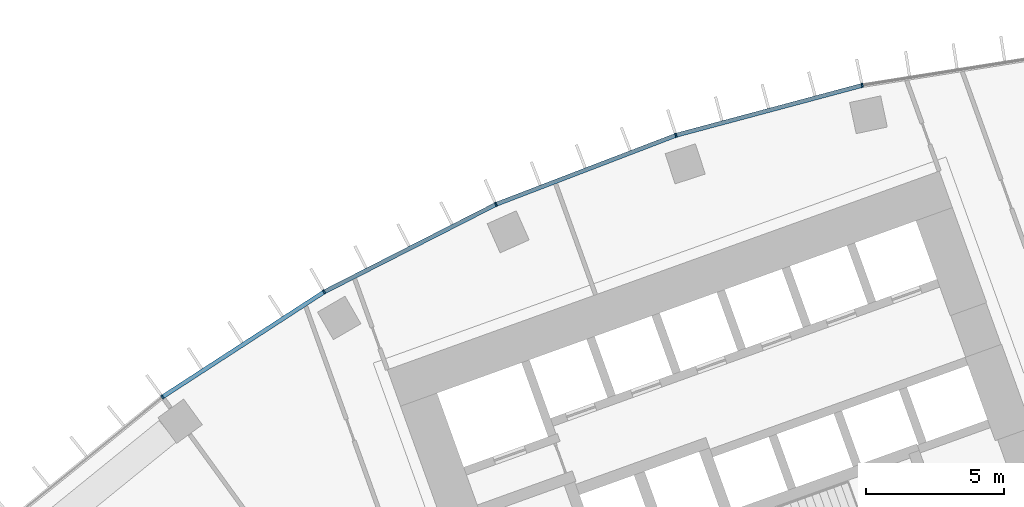
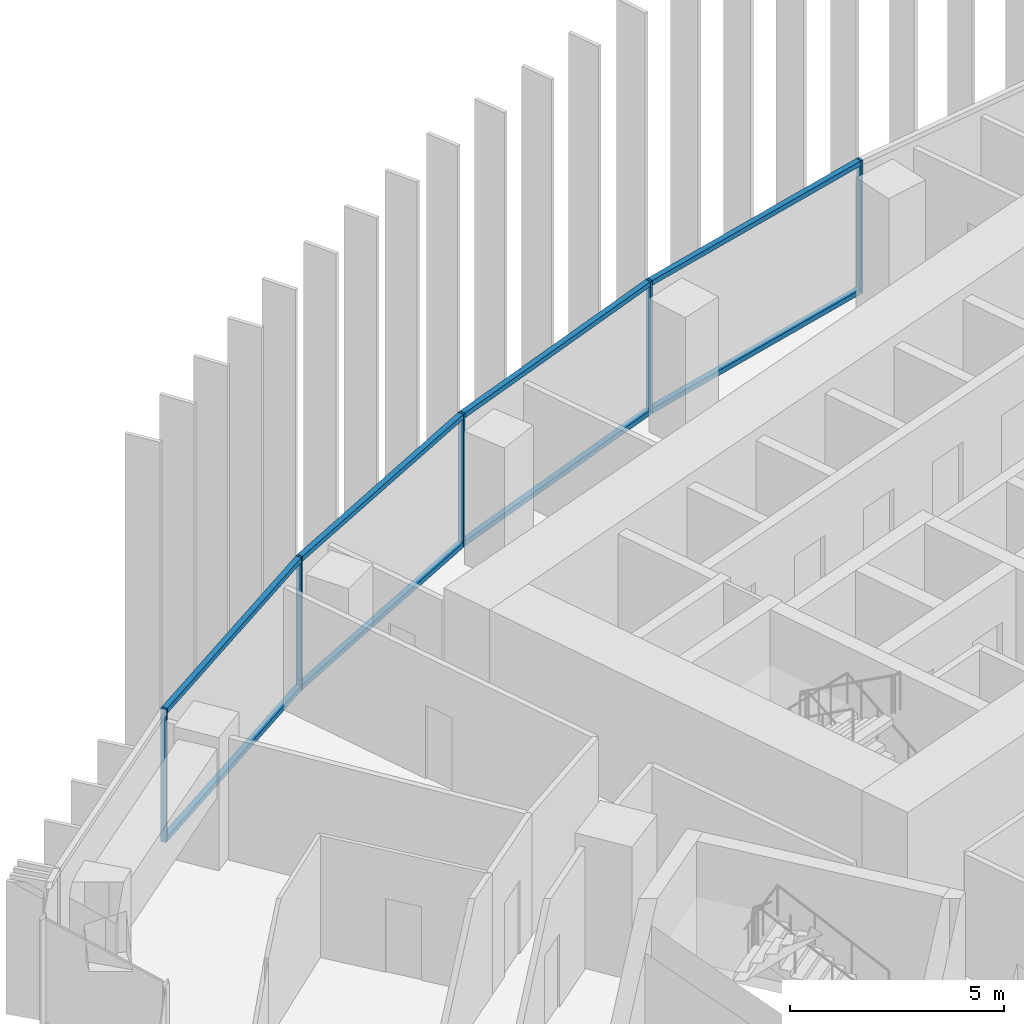
# One storey, part 6 of 22: 13 members, 1 element without a shape of its own.
"""IFC4 building model written with IfcOpenShell, lengths in metres."""

from ifc_helpers import new_model, si_unit, direction, frame, origin, origin_2d, place, context, subcontext, project, spatial, rectangle, extrude, material, layer, layer_set, material_profile, profile_set, type_object, element, aggregate, save


model = new_model("IFC4")

# Units and contexts
model_context = context("Model", 3, precision=1e-05, world=origin(), true_north=direction((0.0, 1.0)))
body_context = subcontext(model_context, "Body", "Model", "MODEL_VIEW")
ifc_project = project(units=[si_unit("LENGTHUNIT", "METRE"), si_unit("AREAUNIT", "SQUARE_METRE"), si_unit("VOLUMEUNIT", "CUBIC_METRE"), si_unit("PLANEANGLEUNIT", "RADIAN"), si_unit("MASSUNIT", "GRAM", prefix="KILO")], contexts=[model_context])

# Site, building, storey
site_placement = place(None, origin())
site = spatial("IfcSite", under=ifc_project, at=site_placement, CompositionType="ELEMENT")
building_placement = place(site_placement, origin())
building = spatial("IfcBuilding", under=site, at=building_placement, Name="Stone Belt Terrace Tower", CompositionType="ELEMENT")
storey_placement = place(building_placement, frame((0.0, 0.0, 109.800048828125)))
storey = spatial("IfcBuildingStorey", under=building, at=storey_placement, Name="L26", CompositionType="ELEMENT", Elevation=109.800048828125)

# Curtain wall, members
ifc_material = material(Name="Aluminium 6063-T6 anodised frame", Category="aluminium")
ifc_layer = layer(ifc_material, 0.14990234375)
ifc_layer_set = layer_set([ifc_layer], Name="CW-A unitised convex-face curtain wall")
curtain_wall_type = type_object("IfcCurtainWallType", Name="CW-A unitised convex-face curtain wall", PredefinedType="NOTDEFINED", material=ifc_layer_set)
curtain_wall_placement = place(storey_placement, origin())
curtain_wall = element("IfcCurtainWall", 1, at=curtain_wall_placement, inside=storey, type_object=curtain_wall_type, Name="CW-A convex face L26", PredefinedType="NOTDEFINED")
ifc_material_profile_1 = material_profile(ifc_material, rectangle(XDim=0.14990234375, YDim=0.06005859375, at=origin_2d()), Name="Aluminium 6063-T6 60x150")
ifc_profile_set_1 = profile_set([ifc_material_profile_1], Name="Aluminium 6063-T6 anodised frame")
member_type_1 = type_object("IfcMemberType", Name="CW-A mullion 60 x 150", PredefinedType="MULLION", material=ifc_profile_set_1)
member_1_placement = place(storey_placement, frame((-13.841796875, 65.120361328125, 0.0), z_axis=(0.0, 0.0, 1.0), x_axis=(0.207911690818, -0.978147600734, 0.0)))
member_1 = element("IfcMember", 2, at=member_1_placement, type_object=member_type_1, Name="CW-A mullion 12", PredefinedType="MULLION", context=body_context, shape_type="SweptSolid", body=[
    extrude(rectangle(XDim=0.14990234375, YDim=0.06005859375, at=origin_2d()), origin(), (0.0, 0.0, 1.0), 3.800048828125),
])
member_2_placement = place(storey_placement, frame((-20.57275390625, 63.316650390625, 0.0), z_axis=(0.0, 0.0, 1.0), x_axis=(0.309016994375, -0.951056516295, 0.0)))
member_2 = element("IfcMember", 3, at=member_2_placement, type_object=member_type_1, Name="CW-A mullion 13", PredefinedType="MULLION", context=body_context, shape_type="SweptSolid", body=[
    extrude(rectangle(XDim=0.14990234375, YDim=0.06005859375, at=origin_2d()), origin(), (0.0, 0.0, 1.0), 3.800048828125),
])
member_3_placement = place(storey_placement, frame((-27.07861328125, 60.8193359375, 0.0), z_axis=(0.0, 0.0, 1.0), x_axis=(0.406736643076, -0.913545457643, 0.0)))
member_3 = element("IfcMember", 4, at=member_3_placement, type_object=member_type_1, Name="CW-A mullion 14", PredefinedType="MULLION", context=body_context, shape_type="SweptSolid", body=[
    extrude(rectangle(XDim=0.14990234375, YDim=0.06005859375, at=origin_2d()), origin(), (0.0, 0.0, 1.0), 3.800048828125),
])
member_4_placement = place(storey_placement, frame((-33.28759765625, 57.65576171875, 0.0), z_axis=(0.0, 0.0, 1.0), x_axis=(0.5, -0.866025403784, 0.0)))
member_4 = element("IfcMember", 5, at=member_4_placement, type_object=member_type_1, Name="CW-A mullion 15", PredefinedType="MULLION", context=body_context, shape_type="SweptSolid", body=[
    extrude(rectangle(XDim=0.14990234375, YDim=0.06005859375, at=origin_2d()), origin(), (0.0, 0.0, 1.0), 3.800048828125),
])
member_5_placement = place(storey_placement, frame((-39.1318359375, 53.8603515625, 0.0), z_axis=(0.0, 0.0, 1.0), x_axis=(0.587785252292, -0.809016994375, 0.0)))
member_5 = element("IfcMember", 6, at=member_5_placement, type_object=member_type_1, Name="CW-A mullion 16", PredefinedType="MULLION", context=body_context, shape_type="SweptSolid", body=[
    extrude(rectangle(XDim=0.14990234375, YDim=0.06005859375, at=origin_2d()), origin(), (0.0, 0.0, 1.0), 3.800048828125),
])
ifc_material_profile_2 = material_profile(ifc_material, rectangle(XDim=0.14990234375, YDim=0.139892578125, at=origin_2d()), Name="Aluminium 6063-T6 150x140")
ifc_profile_set_2 = profile_set([ifc_material_profile_2], Name="Aluminium 6063-T6 anodised frame")
member_type_2 = type_object("IfcMemberType", Name="CW-A transom 140 x 150", PredefinedType="USERDEFINED", material=ifc_profile_set_2)
member_6_placement = place(storey_placement, frame((-13.87451171875, 65.111572265625, 0.070068359375), z_axis=(-0.965921835863, -0.258833937117, 0.0), x_axis=(0.258833937117, -0.965921835863, 0.0)))
member_6 = element("IfcMember", 7, at=member_6_placement, type_object=member_type_2, Name="CW-A transom 12.1", ObjectType="TRANSOM", PredefinedType="USERDEFINED", context=body_context, shape_type="SweptSolid", body=[
    extrude(rectangle(XDim=0.14990234375, YDim=0.139892578125, at=origin_2d()), origin(), (0.0, 0.0, 1.0), 6.900634765625),
])
member_7_placement = place(storey_placement, frame((-13.87451171875, 65.111572265625, 3.72998046875), z_axis=(-0.965921835863, -0.258833937117, 0.0), x_axis=(0.258833937117, -0.965921835863, 0.0)))
member_7 = element("IfcMember", 8, at=member_7_placement, type_object=member_type_2, Name="CW-A transom 12.2", ObjectType="TRANSOM", PredefinedType="USERDEFINED", context=body_context, shape_type="SweptSolid", body=[
    extrude(rectangle(XDim=0.14990234375, YDim=0.139892578125, at=origin_2d()), origin(), (0.0, 0.0, 1.0), 6.900634765625),
])
member_8_placement = place(storey_placement, frame((-20.6044921875, 63.304443359375, 0.070068359375), z_axis=(-0.933585210269, -0.358355487146, 0.0), x_axis=(0.358355487146, -0.933585210269, 0.0)))
member_8 = element("IfcMember", 9, at=member_8_placement, type_object=member_type_2, Name="CW-A transom 13.1", ObjectType="TRANSOM", PredefinedType="USERDEFINED", context=body_context, shape_type="SweptSolid", body=[
    extrude(rectangle(XDim=0.14990234375, YDim=0.139892578125, at=origin_2d()), origin(), (0.0, 0.0, 1.0), 6.900634765625),
])
member_9_placement = place(storey_placement, frame((-20.6044921875, 63.304443359375, 3.72998046875), z_axis=(-0.933585210269, -0.358355487146, 0.0), x_axis=(0.358355487146, -0.933585210269, 0.0)))
member_9 = element("IfcMember", 10, at=member_9_placement, type_object=member_type_2, Name="CW-A transom 13.2", ObjectType="TRANSOM", PredefinedType="USERDEFINED", context=body_context, shape_type="SweptSolid", body=[
    extrude(rectangle(XDim=0.14990234375, YDim=0.139892578125, at=origin_2d()), origin(), (0.0, 0.0, 1.0), 6.900634765625),
])
member_10_placement = place(storey_placement, frame((-27.108642578125, 60.803955078125, 0.070068359375), z_axis=(-0.891012226264, -0.453979308613, 0.0), x_axis=(0.453979308613, -0.891012226264, 0.0)))
member_10 = element("IfcMember", 11, at=member_10_placement, type_object=member_type_2, Name="CW-A transom 14.1", ObjectType="TRANSOM", PredefinedType="USERDEFINED", context=body_context, shape_type="SweptSolid", body=[
    extrude(rectangle(XDim=0.14990234375, YDim=0.139892578125, at=origin_2d()), origin(), (0.0, 0.0, 1.0), 6.90087890625),
])
member_11_placement = place(storey_placement, frame((-27.108642578125, 60.803955078125, 3.72998046875), z_axis=(-0.891012226264, -0.453979308613, 0.0), x_axis=(0.453979308613, -0.891012226264, 0.0)))
member_11 = element("IfcMember", 12, at=member_11_placement, type_object=member_type_2, Name="CW-A transom 14.2", ObjectType="TRANSOM", PredefinedType="USERDEFINED", context=body_context, shape_type="SweptSolid", body=[
    extrude(rectangle(XDim=0.14990234375, YDim=0.139892578125, at=origin_2d()), origin(), (0.0, 0.0, 1.0), 6.90087890625),
])
member_12_placement = place(storey_placement, frame((-33.31591796875, 57.63720703125, 0.070068359375), z_axis=(-0.83868440714, -0.544617723931, 0.0), x_axis=(0.544617723931, -0.83868440714, 0.0)))
member_12 = element("IfcMember", 13, at=member_12_placement, type_object=member_type_2, Name="CW-A transom 15.1", ObjectType="TRANSOM", PredefinedType="USERDEFINED", context=body_context, shape_type="SweptSolid", body=[
    extrude(rectangle(XDim=0.14990234375, YDim=0.139892578125, at=origin_2d()), origin(), (0.0, 0.0, 1.0), 6.90087890625),
])
member_13_placement = place(storey_placement, frame((-33.31591796875, 57.63720703125, 3.72998046875), z_axis=(-0.83868440714, -0.544617723931, 0.0), x_axis=(0.544617723931, -0.83868440714, 0.0)))
member_13 = element("IfcMember", 14, at=member_13_placement, type_object=member_type_2, Name="CW-A transom 15.2", ObjectType="TRANSOM", PredefinedType="USERDEFINED", context=body_context, shape_type="SweptSolid", body=[
    extrude(rectangle(XDim=0.14990234375, YDim=0.139892578125, at=origin_2d()), origin(), (0.0, 0.0, 1.0), 6.90087890625),
])
aggregate(curtain_wall, [member_1, member_2, member_3, member_4, member_5, member_6, member_7, member_8, member_9, member_10, member_11, member_12, member_13])

save(model, "model.ifc")
